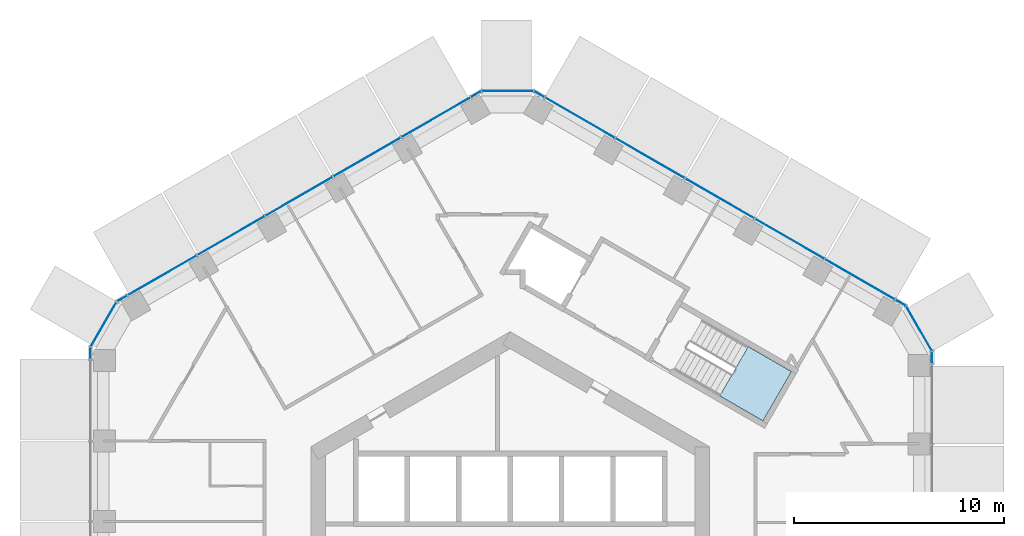
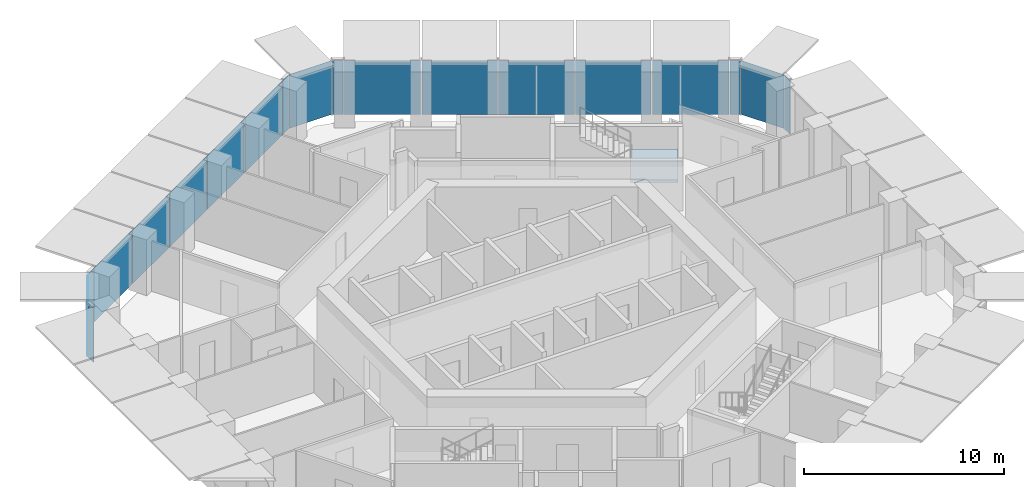
# One storey, part 11 of 18: 19 plates, 1 slab, 6 elements without a shape of their own.
"""IFC4 building model written with IfcOpenShell, lengths in metres."""

from ifc_helpers import new_model, si_unit, direction, frame, origin, origin_2d, place, context, subcontext, project, spatial, polyline, rectangle, outline, extrude, material, layer, layer_set, type_object, element, aggregate, save


model = new_model("IFC4")

# Units and contexts
model_context = context("Model", 3, precision=1e-05, world=origin(), true_north=direction((0.0, 1.0)))
body_context = subcontext(model_context, "Body", "Model", "MODEL_VIEW")
ifc_project = project(units=[si_unit("LENGTHUNIT", "METRE"), si_unit("AREAUNIT", "SQUARE_METRE"), si_unit("VOLUMEUNIT", "CUBIC_METRE"), si_unit("PLANEANGLEUNIT", "RADIAN"), si_unit("MASSUNIT", "GRAM", prefix="KILO")], contexts=[model_context])

# Site, building, storey
site_placement = place(None, origin())
site = spatial("IfcSite", under=ifc_project, at=site_placement, CompositionType="ELEMENT")
building_placement = place(site_placement, origin())
building = spatial("IfcBuilding", under=site, at=building_placement, Name="Ayvan Gate Tower", CompositionType="ELEMENT")
storey_placement = place(building_placement, frame((0.0, 0.0, 89.89990234375)))
storey = spatial("IfcBuildingStorey", under=building, at=storey_placement, Name="L23", CompositionType="ELEMENT", Elevation=89.89990234375)

# Stair, slab
ifc_material_1 = material(Name="Concrete C40/50", Category="concrete")
stair_type = type_object("IfcStairType", Name="ST-EXIT", PredefinedType="HALF_TURN_STAIR", material=ifc_material_1)
stair_placement = place(storey_placement, origin())
stair = element("IfcStair", 1, at=stair_placement, inside=storey, type_object=stair_type, Name="L23 Exit Stair S1", PredefinedType="HALF_TURN_STAIR")
ifc_layer_1 = layer(ifc_material_1, 0.199951171875)
ifc_layer_set_1 = layer_set([ifc_layer_1], Name="Concrete C40/50")
slab_type = type_object("IfcSlabType", Name="SL-LANDING-200", PredefinedType="LANDING", material=ifc_layer_set_1)
slab_placement = place(storey_placement, frame((0.0, 0.0, 1.5)))
slab = element("IfcSlab", 2, at=slab_placement, type_object=slab_type, Name="STS1 landing 1", PredefinedType="LANDING", context=body_context, shape_type="SweptSolid", body=[
    extrude(outline(polyline([(9.988525390625, 7.91064453125), (12.049560546875, 6.720458984375), (13.404541015625, 9.0673828125), (11.343505859375, 10.257568359375), (9.988525390625, 7.91064453125)])), origin(), (0.0, 0.0, 1.0), 0.2001953125),
])
aggregate(stair, [slab])

# Curtain wall, plates
ifc_material_2 = material(Name="Bronze anodised aluminium", Category="aluminium")
ifc_layer_2 = layer(ifc_material_2, 0.199951171875)
ifc_layer_set_2 = layer_set([ifc_layer_2], Name="Bronze anodised aluminium")
curtain_wall_type_1 = type_object("IfcCurtainWallType", Name="Stick curtain wall CW-1", PredefinedType="NOTDEFINED", material=ifc_layer_set_2)
curtain_wall_1_placement = place(storey_placement, origin())
curtain_wall_1 = element("IfcCurtainWall", 3, at=curtain_wall_1_placement, inside=storey, type_object=curtain_wall_type_1, Name="Stick curtain wall CW-1 L23", PredefinedType="NOTDEFINED")
ifc_material_3 = material(Name="Clear low-iron laminated glass", Category="glass")
ifc_layer_3 = layer(ifc_material_3, 0.028076171875)
ifc_layer_set_3 = layer_set([ifc_layer_3], Name="Clear low-iron laminated glass")
plate_type_1 = type_object("IfcPlateType", Name="Stick curtain wall CW-1 glass panel", PredefinedType="CURTAIN_PANEL", material=ifc_layer_set_3)
plate_1_placement = place(storey_placement, frame((-3.529296875, 21.18408203125, 0.0), z_axis=(0.0, 0.0, 1.0), x_axis=(-0.866025403784, -0.5, 0.0)))
plate_1 = element("IfcPlate", 4, at=plate_1_placement, type_object=plate_type_1, Name="CW-1 glass panel 1", PredefinedType="CURTAIN_PANEL", context=body_context, shape_type="SweptSolid", body=[
    extrude(rectangle(XDim=3.794921875, YDim=0.028076171875, at=origin_2d()), origin(), (0.0, 0.0, 1.0), 3.280029296875),
])
plate_2_placement = place(storey_placement, frame((-6.8173828125, 19.28564453125, 0.0), z_axis=(0.0, 0.0, 1.0), x_axis=(-0.866025403784, -0.5, 0.0)))
plate_2 = element("IfcPlate", 5, at=plate_2_placement, type_object=plate_type_1, Name="CW-1 glass panel 2", PredefinedType="CURTAIN_PANEL", context=body_context, shape_type="SweptSolid", body=[
    extrude(rectangle(XDim=3.678955078125, YDim=0.028076171875, at=origin_2d()), origin(), (0.0, 0.0, 1.0), 3.280029296875),
])
plate_3_placement = place(storey_placement, frame((-10.0556640625, 17.416015625, 0.0), z_axis=(0.0, 0.0, 1.0), x_axis=(-0.866025403784, -0.5, 0.0)))
plate_3 = element("IfcPlate", 6, at=plate_3_placement, type_object=plate_type_1, Name="CW-1 glass panel 3", PredefinedType="CURTAIN_PANEL", context=body_context, shape_type="SweptSolid", body=[
    extrude(rectangle(XDim=3.678955078125, YDim=0.028076171875, at=origin_2d()), origin(), (0.0, 0.0, 1.0), 3.280029296875),
])
plate_4_placement = place(storey_placement, frame((-13.293212890625, 15.546875, 0.0), z_axis=(0.0, 0.0, 1.0), x_axis=(-0.866025403784, -0.5, 0.0)))
plate_4 = element("IfcPlate", 7, at=plate_4_placement, type_object=plate_type_1, Name="CW-1 glass panel 4", PredefinedType="CURTAIN_PANEL", context=body_context, shape_type="SweptSolid", body=[
    extrude(rectangle(XDim=3.677978515625, YDim=0.028076171875, at=origin_2d()), origin(), (0.0, 0.0, 1.0), 3.280029296875),
])
plate_5_placement = place(storey_placement, frame((-16.581298828125, 13.6484375, 0.0), z_axis=(0.0, 0.0, 1.0), x_axis=(-0.866025403784, -0.5, 0.0)))
plate_5 = element("IfcPlate", 8, at=plate_5_placement, type_object=plate_type_1, Name="CW-1 glass panel 5", PredefinedType="CURTAIN_PANEL", context=body_context, shape_type="SweptSolid", body=[
    extrude(rectangle(XDim=3.79541015625, YDim=0.028076171875, at=origin_2d()), origin(), (0.0, 0.0, 1.0), 3.280029296875),
])
aggregate(curtain_wall_1, [plate_1, plate_2, plate_3, plate_4, plate_5])

curtain_wall_2_placement = place(storey_placement, origin())
curtain_wall_2 = element("IfcCurtainWall", 9, at=curtain_wall_2_placement, inside=storey, type_object=curtain_wall_type_1, Name="Stick curtain wall CW-1 L23", PredefinedType="NOTDEFINED")
plate_6_placement = place(storey_placement, frame((16.677490234375, 13.455810546875, 0.0), z_axis=(0.0, 0.0, 1.0), x_axis=(-0.866025403784, 0.5, 0.0)))
plate_6 = element("IfcPlate", 10, at=plate_6_placement, type_object=plate_type_1, Name="CW-1 glass panel 1", PredefinedType="CURTAIN_PANEL", context=body_context, shape_type="SweptSolid", body=[
    extrude(rectangle(XDim=3.846923828125, YDim=0.028076171875, at=origin_2d()), origin(), (0.0, 0.0, 1.0), 3.280029296875),
])
plate_7_placement = place(storey_placement, frame((13.322509765625, 15.392822265625, 0.0), z_axis=(0.0, 0.0, 1.0), x_axis=(-0.866025403784, 0.5, 0.0)))
plate_7 = element("IfcPlate", 11, at=plate_7_placement, type_object=plate_type_1, Name="CW-1 glass panel 2", PredefinedType="CURTAIN_PANEL", context=body_context, shape_type="SweptSolid", body=[
    extrude(rectangle(XDim=3.781005859375, YDim=0.028076171875, at=origin_2d()), origin(), (0.0, 0.0, 1.0), 3.280029296875),
])
plate_8_placement = place(storey_placement, frame((9.99609375, 17.313232421875, 0.0), z_axis=(0.0, 0.0, 1.0), x_axis=(-0.866025403784, 0.5, 0.0)))
plate_8 = element("IfcPlate", 12, at=plate_8_placement, type_object=plate_type_1, Name="CW-1 glass panel 3", PredefinedType="CURTAIN_PANEL", context=body_context, shape_type="SweptSolid", body=[
    extrude(rectangle(XDim=3.781005859375, YDim=0.028076171875, at=origin_2d()), origin(), (0.0, 0.0, 1.0), 3.280029296875),
])
plate_9_placement = place(storey_placement, frame((6.66943359375, 19.234130859375, 0.0), z_axis=(0.0, 0.0, 1.0), x_axis=(-0.866025403784, 0.5, 0.0)))
plate_9 = element("IfcPlate", 13, at=plate_9_placement, type_object=plate_type_1, Name="CW-1 glass panel 4", PredefinedType="CURTAIN_PANEL", context=body_context, shape_type="SweptSolid", body=[
    extrude(rectangle(XDim=3.781982421875, YDim=0.028076171875, at=origin_2d()), origin(), (0.0, 0.0, 1.0), 3.280029296875),
])
plate_10_placement = place(storey_placement, frame((3.314208984375, 21.171142578125, 0.0), z_axis=(0.0, 0.0, 1.0), x_axis=(-0.866025403784, 0.5, 0.0)))
plate_10 = element("IfcPlate", 14, at=plate_10_placement, type_object=plate_type_1, Name="CW-1 glass panel 5", PredefinedType="CURTAIN_PANEL", context=body_context, shape_type="SweptSolid", body=[
    extrude(rectangle(XDim=3.846435546875, YDim=0.028076171875, at=origin_2d()), origin(), (0.0, 0.0, 1.0), 3.280029296875),
])
aggregate(curtain_wall_2, [plate_6, plate_7, plate_8, plate_9, plate_10])

ifc_layer_4 = layer(ifc_material_2, 0.199951171875)
ifc_layer_set_4 = layer_set([ifc_layer_4], Name="Bronze anodised aluminium")
curtain_wall_type_2 = type_object("IfcCurtainWallType", Name="Stick curtain wall CW-6", PredefinedType="NOTDEFINED", material=ifc_layer_set_4)
curtain_wall_3_placement = place(storey_placement, origin())
curtain_wall_3 = element("IfcCurtainWall", 15, at=curtain_wall_3_placement, inside=storey, type_object=curtain_wall_type_2, Name="Stick curtain wall CW-6 L23", PredefinedType="NOTDEFINED")
ifc_layer_5 = layer(ifc_material_3, 0.028076171875)
ifc_layer_set_5 = layer_set([ifc_layer_5], Name="Clear low-iron laminated glass")
plate_type_2 = type_object("IfcPlateType", Name="Stick curtain wall CW-6 glass panel", PredefinedType="CURTAIN_PANEL", material=ifc_layer_set_5)
plate_11_placement = place(storey_placement, frame((-18.48876953125, 12.547119140625, 0.0), z_axis=(0.0, 0.0, 1.0), x_axis=(-0.866025403784, -0.5, 0.0)))
plate_11 = element("IfcPlate", 16, at=plate_11_placement, type_object=plate_type_2, Name="CW-6 glass panel 1", PredefinedType="CURTAIN_PANEL", context=body_context, shape_type="SweptSolid", body=[
    extrude(rectangle(XDim=0.550048828125, YDim=0.028076171875, at=origin_2d()), origin(), (0.0, 0.0, 1.0), 3.280029296875),
])
plate_12_placement = place(storey_placement, frame((-19.3701171875, 11.320556640625, 0.0), z_axis=(0.0, 0.0, 1.0), x_axis=(-0.5, -0.866025403784, 0.0)))
plate_12 = element("IfcPlate", 17, at=plate_12_placement, type_object=plate_type_2, Name="CW-6 glass panel 2", PredefinedType="CURTAIN_PANEL", context=body_context, shape_type="SweptSolid", body=[
    extrude(rectangle(XDim=2.4365234375, YDim=0.028076171875, at=origin_2d()), origin(), (0.0, 0.0, 1.0), 3.280029296875),
])
plate_13_placement = place(storey_placement, frame((-19.991943359375, 9.94384765625, 0.0), z_axis=(0.0, 0.0, 1.0), x_axis=(0.0, -1.0, 0.0)))
plate_13 = element("IfcPlate", 18, at=plate_13_placement, type_object=plate_type_2, Name="CW-6 glass panel 3", PredefinedType="CURTAIN_PANEL", context=body_context, shape_type="SweptSolid", body=[
    extrude(rectangle(XDim=0.550048828125, YDim=0.028076171875, at=origin_2d()), origin(), (0.0, 0.0, 1.0), 3.280029296875),
])
aggregate(curtain_wall_3, [plate_11, plate_12, plate_13])

curtain_wall_4_placement = place(storey_placement, origin())
curtain_wall_4 = element("IfcCurtainWall", 19, at=curtain_wall_4_placement, inside=storey, type_object=curtain_wall_type_2, Name="Stick curtain wall CW-6 L23", PredefinedType="NOTDEFINED")
plate_14_placement = place(storey_placement, frame((20.110595703125, 9.73828125, 0.0), z_axis=(0.0, 0.0, 1.0), x_axis=(0.0, 1.0, 0.0)))
plate_14 = element("IfcPlate", 20, at=plate_14_placement, type_object=plate_type_2, Name="CW-6 glass panel 1", PredefinedType="CURTAIN_PANEL", context=body_context, shape_type="SweptSolid", body=[
    extrude(rectangle(XDim=0.550048828125, YDim=0.028076171875, at=origin_2d()), origin(), (0.0, 0.0, 1.0), 3.280029296875),
])
plate_15_placement = place(storey_placement, frame((19.489013671875, 11.114990234375, 0.0), z_axis=(0.0, 0.0, 1.0), x_axis=(-0.5, 0.866025403784, 0.0)))
plate_15 = element("IfcPlate", 21, at=plate_15_placement, type_object=plate_type_2, Name="CW-6 glass panel 2", PredefinedType="CURTAIN_PANEL", context=body_context, shape_type="SweptSolid", body=[
    extrude(rectangle(XDim=2.4365234375, YDim=0.028076171875, at=origin_2d()), origin(), (0.0, 0.0, 1.0), 3.280029296875),
])
plate_16_placement = place(storey_placement, frame((18.607421875, 12.341552734375, 0.0), z_axis=(0.0, 0.0, 1.0), x_axis=(-0.866025403784, 0.5, 0.0)))
plate_16 = element("IfcPlate", 22, at=plate_16_placement, type_object=plate_type_2, Name="CW-6 glass panel 3", PredefinedType="CURTAIN_PANEL", context=body_context, shape_type="SweptSolid", body=[
    extrude(rectangle(XDim=0.550048828125, YDim=0.028076171875, at=origin_2d()), origin(), (0.0, 0.0, 1.0), 3.280029296875),
])
aggregate(curtain_wall_4, [plate_14, plate_15, plate_16])

curtain_wall_5_placement = place(storey_placement, origin())
curtain_wall_5 = element("IfcCurtainWall", 23, at=curtain_wall_5_placement, inside=storey, type_object=curtain_wall_type_2, Name="Stick curtain wall CW-6 L23", PredefinedType="NOTDEFINED")
plate_17_placement = place(storey_placement, frame((1.38427734375, 22.285400390625, 0.0), z_axis=(0.0, 0.0, 1.0), x_axis=(-0.866025403784, 0.5, 0.0)))
plate_17 = element("IfcPlate", 24, at=plate_17_placement, type_object=plate_type_2, Name="CW-6 glass panel 1", PredefinedType="CURTAIN_PANEL", context=body_context, shape_type="SweptSolid", body=[
    extrude(rectangle(XDim=0.550048828125, YDim=0.028076171875, at=origin_2d()), origin(), (0.0, 0.0, 1.0), 3.280029296875),
])
plate_18_placement = place(storey_placement, frame((-0.11865234375, 22.435302734375, 0.0), z_axis=(0.0, 0.0, 1.0), x_axis=(-1.0, 0.0, 0.0)))
plate_18 = element("IfcPlate", 25, at=plate_18_placement, type_object=plate_type_2, Name="CW-6 glass panel 2", PredefinedType="CURTAIN_PANEL", context=body_context, shape_type="SweptSolid", body=[
    extrude(rectangle(XDim=2.4365234375, YDim=0.028076171875, at=origin_2d()), origin(), (0.0, 0.0, 1.0), 3.280029296875),
])
plate_19_placement = place(storey_placement, frame((-1.621826171875, 22.285400390625, 0.0), z_axis=(0.0, 0.0, 1.0), x_axis=(-0.866025403784, -0.5, 0.0)))
plate_19 = element("IfcPlate", 26, at=plate_19_placement, type_object=plate_type_2, Name="CW-6 glass panel 3", PredefinedType="CURTAIN_PANEL", context=body_context, shape_type="SweptSolid", body=[
    extrude(rectangle(XDim=0.550048828125, YDim=0.028076171875, at=origin_2d()), origin(), (0.0, 0.0, 1.0), 3.280029296875),
])
aggregate(curtain_wall_5, [plate_17, plate_18, plate_19])

save(model, "model.ifc")
